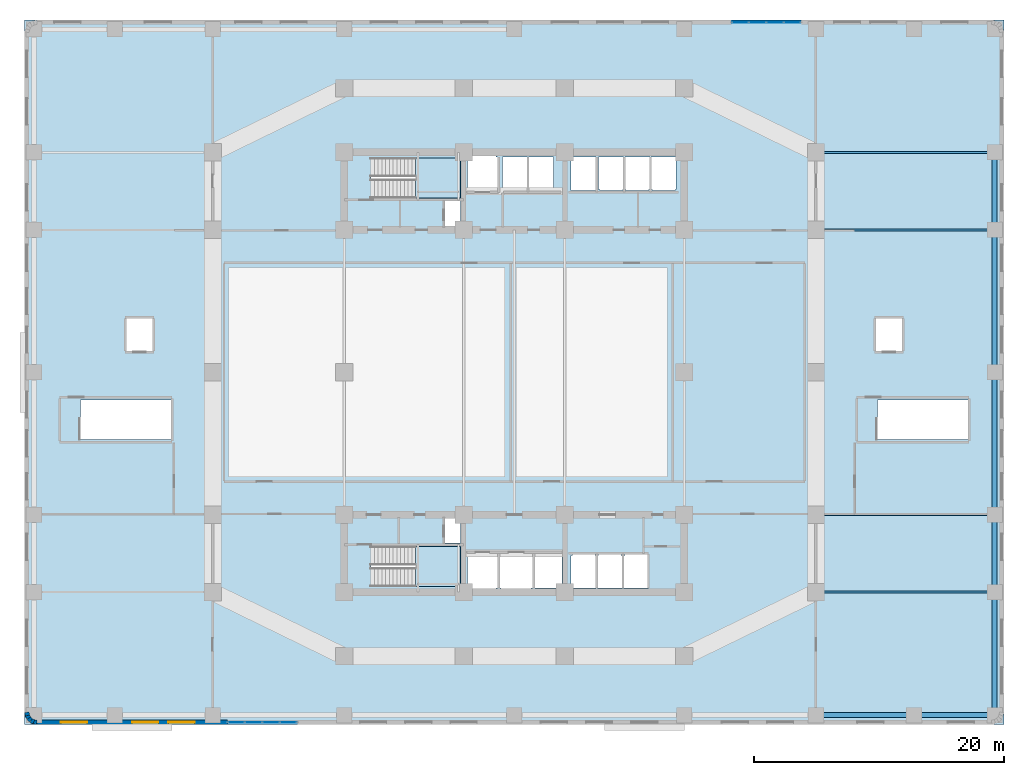
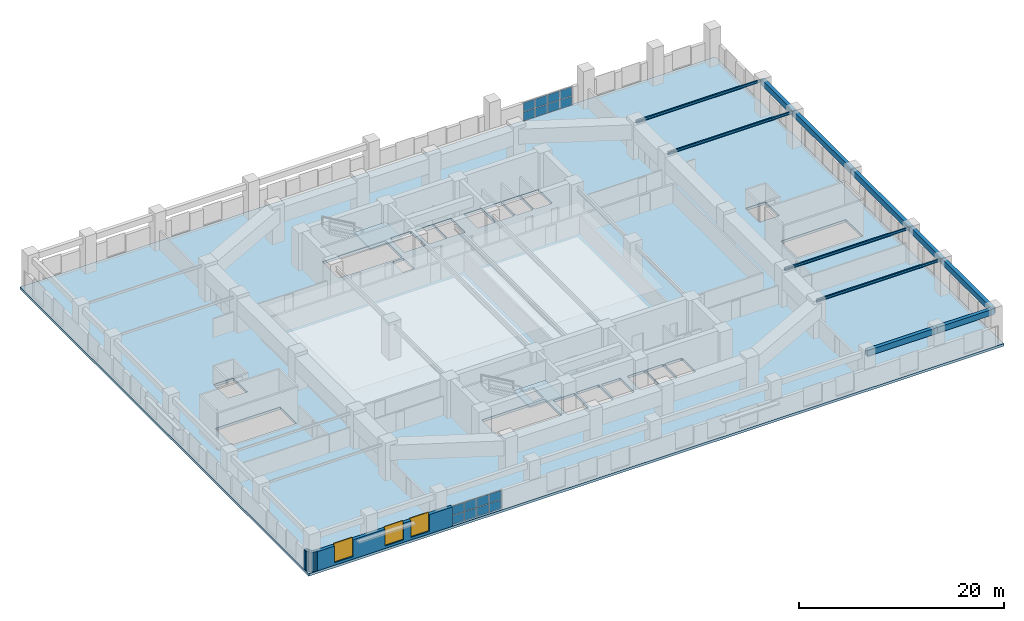
# One storey, part 5 of 13: 16 plates, 11 beams, 6 walls, 3 slabs, 3 windows, 3 openings, 4 elements without a shape of their own.
"""IFC4 building model written with IfcOpenShell, lengths in metres."""

from ifc_helpers import new_model, si_unit, direction, frame, frame_2d, origin, origin_2d, place, context, subcontext, project, spatial, polyline, rectangle, i_section, outline, extrude, material, layer, layer_set, material_profile, profile_set, type_object, element, fill, aggregate, save


model = new_model("IFC4")

# Units and contexts
model_context = context("Model", 3, precision=1e-05, world=origin(), true_north=direction((0.0, 1.0)))
body_context = subcontext(model_context, "Body", "Model", "MODEL_VIEW")
ifc_project = project(units=[si_unit("LENGTHUNIT", "METRE"), si_unit("AREAUNIT", "SQUARE_METRE"), si_unit("VOLUMEUNIT", "CUBIC_METRE"), si_unit("PLANEANGLEUNIT", "RADIAN"), si_unit("MASSUNIT", "GRAM", prefix="KILO")], contexts=[model_context])

# Site, building, storey
site_placement = place(None, origin())
site = spatial("IfcSite", under=ifc_project, at=site_placement, CompositionType="ELEMENT")
building_placement = place(site_placement, origin())
building = spatial("IfcBuilding", under=site, at=building_placement, Name="Svetorya Sky Lyceum", CompositionType="ELEMENT")
storey_placement = place(building_placement, frame((0.0, 0.0, 20.10009765625)))
storey = spatial("IfcBuildingStorey", under=building, at=storey_placement, Name="L04", CompositionType="ELEMENT", Elevation=20.10009765625)

# Beams
ifc_material_1 = material(Name="Concrete C50/60", Category="concrete")
ifc_material_profile_1 = material_profile(ifc_material_1, rectangle(XDim=0.39990234375, YDim=0.699951171875, at=origin_2d()), Name="RC SPANDREL 400x700")
ifc_profile_set_1 = profile_set([ifc_material_profile_1], Name="Concrete C50/60")
beam_type_1 = type_object("IfcBeamType", Name="BM-SPN-700", PredefinedType="SPANDREL", material=ifc_profile_set_1)
beam_1_placement = place(storey_placement, frame((63.35009765625, 0.75, 3.75), z_axis=(1.0, 0.0, 0.0), x_axis=(0.0, 1.0, 0.0)))
element("IfcBeam", 1, at=beam_1_placement, inside=storey, type_object=beam_type_1, Name="L04 Podium South Spandrel 7", PredefinedType="SPANDREL", context=body_context, shape_type="SweptSolid", body=[
    extrude(rectangle(XDim=0.39990234375, YDim=0.699951171875, at=origin_2d()), origin(), (0.0, 0.0, 1.0), 7.849853515625),
])
beam_2_placement = place(storey_placement, frame((71.199951171875, 0.75, 3.75), z_axis=(1.0, 0.0, 0.0), x_axis=(0.0, 1.0, 0.0)))
element("IfcBeam", 2, at=beam_2_placement, inside=storey, type_object=beam_type_1, Name="L04 Podium South Spandrel 8", PredefinedType="SPANDREL", context=body_context, shape_type="SweptSolid", body=[
    extrude(rectangle(XDim=0.39990234375, YDim=0.699951171875, at=origin_2d()), origin(), (0.0, 0.0, 1.0), 6.449951171875),
])
beam_3_placement = place(storey_placement, frame((77.64990234375, 0.75, 3.75), z_axis=(0.0, 1.0, 0.0), x_axis=(-1.0, 0.0, 0.0)))
element("IfcBeam", 3, at=beam_3_placement, inside=storey, type_object=beam_type_1, Name="L04 Podium East Spandrel 1", PredefinedType="SPANDREL", context=body_context, shape_type="SweptSolid", body=[
    extrude(rectangle(XDim=0.39990234375, YDim=0.699951171875, at=origin_2d()), origin(), (0.0, 0.0, 1.0), 9.85009765625),
])
beam_4_placement = place(storey_placement, frame((77.64990234375, 10.60009765625, 3.75), z_axis=(0.0, 1.0, 0.0), x_axis=(-1.0, 0.0, 0.0)))
element("IfcBeam", 4, at=beam_4_placement, inside=storey, type_object=beam_type_1, Name="L04 Podium East Spandrel 2", PredefinedType="SPANDREL", context=body_context, shape_type="SweptSolid", body=[
    extrude(rectangle(XDim=0.39990234375, YDim=0.699951171875, at=origin_2d()), origin(), (0.0, 0.0, 1.0), 6.199951171875),
])
beam_5_placement = place(storey_placement, frame((77.64990234375, 16.800048828125, 3.75), z_axis=(0.0, 1.0, 0.0), x_axis=(-1.0, 0.0, 0.0)))
element("IfcBeam", 5, at=beam_5_placement, inside=storey, type_object=beam_type_1, Name="L04 Podium East Spandrel 3", PredefinedType="SPANDREL", context=body_context, shape_type="SweptSolid", body=[
    extrude(rectangle(XDim=0.39990234375, YDim=0.699951171875, at=origin_2d()), origin(), (0.0, 0.0, 1.0), 11.39990234375),
])
beam_6_placement = place(storey_placement, frame((77.64990234375, 28.199951171875, 3.75), z_axis=(0.0, 1.0, 0.0), x_axis=(-1.0, 0.0, 0.0)))
element("IfcBeam", 6, at=beam_6_placement, inside=storey, type_object=beam_type_1, Name="L04 Podium East Spandrel 4", PredefinedType="SPANDREL", context=body_context, shape_type="SweptSolid", body=[
    extrude(rectangle(XDim=0.39990234375, YDim=0.699951171875, at=origin_2d()), origin(), (0.0, 0.0, 1.0), 11.400146484375),
])
beam_7_placement = place(storey_placement, frame((77.64990234375, 39.60009765625, 3.75), z_axis=(0.0, 1.0, 0.0), x_axis=(-1.0, 0.0, 0.0)))
element("IfcBeam", 7, at=beam_7_placement, inside=storey, type_object=beam_type_1, Name="L04 Podium East Spandrel 5", PredefinedType="SPANDREL", context=body_context, shape_type="SweptSolid", body=[
    extrude(rectangle(XDim=0.39990234375, YDim=0.699951171875, at=origin_2d()), origin(), (0.0, 0.0, 1.0), 6.199951171875),
])
ifc_material_2 = material(Name="Steel S355", Category="steel")
ifc_material_profile_2 = material_profile(ifc_material_2, i_section(OverallWidth=0.14990234375, OverallDepth=0.299072265625, WebThickness=0.006591796875, FlangeThickness=0.010498046875, at=origin_2d()), Name="GOST 30B2")
ifc_profile_set_2 = profile_set([ifc_material_profile_2], Name="Steel S355")
beam_type_2 = type_object("IfcBeamType", Name="BM-STL-30B2", PredefinedType="JOIST", material=ifc_profile_set_2)
for number, where, z_axis, x_axis, name in (
    (8, (63.35009765625, 10.60009765625, 3.950439453125), (1.0, 0.0, 0.0), (0.0, 1.0, 0.0), "L04 Podium Wing Joist E1"),
    (9, (63.35009765625, 16.800048828125, 3.950439453125), (1.0, 0.0, 0.0), (0.0, 1.0, 0.0), "L04 Podium Wing Joist E2"),
    (10, (63.35009765625, 39.60009765625, 3.950439453125), (1.0, 0.0, 0.0), (0.0, 1.0, 0.0), "L04 Podium Wing Joist E3"),
    (11, (63.35009765625, 45.800048828125, 3.950439453125), (1.0, 0.0, 0.0), (0.0, 1.0, 0.0), "L04 Podium Wing Joist E4"),
):
    element("IfcBeam", number, at=place(storey_placement, frame(where, z_axis=z_axis, x_axis=x_axis)), inside=storey, type_object=beam_type_2, Name=name, PredefinedType="JOIST", context=body_context, shape_type="SweptSolid", body=[
        extrude(i_section(OverallWidth=0.14990234375, OverallDepth=0.299072265625, WebThickness=0.006591796875, FlangeThickness=0.010498046875, at=origin_2d()), origin(), (0.0, 0.0, 1.0), 14.2998046875),
    ])

# Curtain wall, plates
ifc_material_3 = material(Name="Thermally broken anodized aluminium and triple low-E glass", Category="aluminium")
curtain_wall_type = type_object("IfcCurtainWallType", Name="CW2-SCH-RIB", PredefinedType="NOTDEFINED", material=ifc_material_3)
curtain_wall_1_placement = place(storey_placement, origin())
curtain_wall_1 = element("IfcCurtainWall", 12, at=curtain_wall_1_placement, inside=storey, type_object=curtain_wall_type, Name="L04 Lyceum Classroom Ribbon Curtain Wall 6", PredefinedType="NOTDEFINED")
ifc_material_4 = material(Name="Triple insulated low-E solar-control glass", Category="glass")
ifc_layer_1 = layer(ifc_material_4, 0.048095703125)
ifc_layer_set_1 = layer_set([ifc_layer_1], Name="Triple insulated low-E solar-control glass")
plate_type = type_object("IfcPlateType", Name="CWP-GLZ-48", PredefinedType="CURTAIN_PANEL", material=ifc_layer_set_1)
plate_1_placement = place(storey_placement, frame((16.9462890625, 0.179931640625, 0.0634765625), z_axis=(0.0, 0.0, 1.0), x_axis=(1.0, 0.0, 0.0)))
plate_1 = element("IfcPlate", 13, at=plate_1_placement, type_object=plate_type, Name="CW-2 panel 1.1", PredefinedType="CURTAIN_PANEL", context=body_context, shape_type="SweptSolid", body=[
    extrude(rectangle(XDim=1.305419921875, YDim=0.048095703125, at=origin_2d()), origin(), (0.0, 0.0, 1.0), 1.055419921875),
])
plate_2_placement = place(storey_placement, frame((16.9462890625, 0.179931640625, 1.18115234375), z_axis=(0.0, 0.0, 1.0), x_axis=(1.0, 0.0, 0.0)))
plate_2 = element("IfcPlate", 14, at=plate_2_placement, type_object=plate_type, Name="CW-2 panel 1.2", PredefinedType="CURTAIN_PANEL", context=body_context, shape_type="SweptSolid", body=[
    extrude(rectangle(XDim=1.305419921875, YDim=0.048095703125, at=origin_2d()), origin(), (0.0, 0.0, 1.0), 1.055419921875),
])
plate_3_placement = place(storey_placement, frame((18.330078125, 0.179931640625, 0.0634765625), z_axis=(0.0, 0.0, 1.0), x_axis=(1.0, 0.0, 0.0)))
plate_3 = element("IfcPlate", 15, at=plate_3_placement, type_object=plate_type, Name="CW-2 panel 2.1", PredefinedType="CURTAIN_PANEL", context=body_context, shape_type="SweptSolid", body=[
    extrude(rectangle(XDim=1.337890625, YDim=0.048095703125, at=origin_2d()), origin(), (0.0, 0.0, 1.0), 1.055419921875),
])
plate_4_placement = place(storey_placement, frame((18.330078125, 0.179931640625, 1.18115234375), z_axis=(0.0, 0.0, 1.0), x_axis=(1.0, 0.0, 0.0)))
plate_4 = element("IfcPlate", 16, at=plate_4_placement, type_object=plate_type, Name="CW-2 panel 2.2", PredefinedType="CURTAIN_PANEL", context=body_context, shape_type="SweptSolid", body=[
    extrude(rectangle(XDim=1.337890625, YDim=0.048095703125, at=origin_2d()), origin(), (0.0, 0.0, 1.0), 1.055419921875),
])
plate_5_placement = place(storey_placement, frame((19.72998046875, 0.179931640625, 0.0634765625), z_axis=(0.0, 0.0, 1.0), x_axis=(1.0, 0.0, 0.0)))
plate_5 = element("IfcPlate", 17, at=plate_5_placement, type_object=plate_type, Name="CW-2 panel 3.1", PredefinedType="CURTAIN_PANEL", context=body_context, shape_type="SweptSolid", body=[
    extrude(rectangle(XDim=1.337890625, YDim=0.048095703125, at=origin_2d()), origin(), (0.0, 0.0, 1.0), 1.055419921875),
])
plate_6_placement = place(storey_placement, frame((19.72998046875, 0.179931640625, 1.18115234375), z_axis=(0.0, 0.0, 1.0), x_axis=(1.0, 0.0, 0.0)))
plate_6 = element("IfcPlate", 18, at=plate_6_placement, type_object=plate_type, Name="CW-2 panel 3.2", PredefinedType="CURTAIN_PANEL", context=body_context, shape_type="SweptSolid", body=[
    extrude(rectangle(XDim=1.337890625, YDim=0.048095703125, at=origin_2d()), origin(), (0.0, 0.0, 1.0), 1.055419921875),
])
plate_7_placement = place(storey_placement, frame((21.11376953125, 0.179931640625, 0.0634765625), z_axis=(0.0, 0.0, 1.0), x_axis=(1.0, 0.0, 0.0)))
plate_7 = element("IfcPlate", 19, at=plate_7_placement, type_object=plate_type, Name="CW-2 panel 4.1", PredefinedType="CURTAIN_PANEL", context=body_context, shape_type="SweptSolid", body=[
    extrude(rectangle(XDim=1.305419921875, YDim=0.048095703125, at=origin_2d()), origin(), (0.0, 0.0, 1.0), 1.055419921875),
])
plate_8_placement = place(storey_placement, frame((21.11376953125, 0.179931640625, 1.18115234375), z_axis=(0.0, 0.0, 1.0), x_axis=(1.0, 0.0, 0.0)))
plate_8 = element("IfcPlate", 20, at=plate_8_placement, type_object=plate_type, Name="CW-2 panel 4.2", PredefinedType="CURTAIN_PANEL", context=body_context, shape_type="SweptSolid", body=[
    extrude(rectangle(XDim=1.305419921875, YDim=0.048095703125, at=origin_2d()), origin(), (0.0, 0.0, 1.0), 1.055419921875),
])
aggregate(curtain_wall_1, [plate_1, plate_2, plate_3, plate_4, plate_5, plate_6, plate_7, plate_8])

curtain_wall_2_placement = place(storey_placement, origin())
curtain_wall_2 = element("IfcCurtainWall", 21, at=curtain_wall_2_placement, inside=storey, type_object=curtain_wall_type, Name="L04 Lyceum Classroom Ribbon Curtain Wall 18", PredefinedType="NOTDEFINED")
plate_9_placement = place(storey_placement, frame((61.453857421875, 56.219970703125, 0.0634765625), z_axis=(0.0, 0.0, 1.0), x_axis=(-1.0, 0.0, 0.0)))
plate_9 = element("IfcPlate", 22, at=plate_9_placement, type_object=plate_type, Name="CW-2 panel 1.1", PredefinedType="CURTAIN_PANEL", context=body_context, shape_type="SweptSolid", body=[
    extrude(rectangle(XDim=1.305419921875, YDim=0.048095703125, at=origin_2d()), origin(), (0.0, 0.0, 1.0), 1.055419921875),
])
plate_10_placement = place(storey_placement, frame((61.453857421875, 56.219970703125, 1.18115234375), z_axis=(0.0, 0.0, 1.0), x_axis=(-1.0, 0.0, 0.0)))
plate_10 = element("IfcPlate", 23, at=plate_10_placement, type_object=plate_type, Name="CW-2 panel 1.2", PredefinedType="CURTAIN_PANEL", context=body_context, shape_type="SweptSolid", body=[
    extrude(rectangle(XDim=1.305419921875, YDim=0.048095703125, at=origin_2d()), origin(), (0.0, 0.0, 1.0), 1.055419921875),
])
plate_11_placement = place(storey_placement, frame((60.070068359375, 56.219970703125, 0.0634765625), z_axis=(0.0, 0.0, 1.0), x_axis=(-1.0, 0.0, 0.0)))
plate_11 = element("IfcPlate", 24, at=plate_11_placement, type_object=plate_type, Name="CW-2 panel 2.1", PredefinedType="CURTAIN_PANEL", context=body_context, shape_type="SweptSolid", body=[
    extrude(rectangle(XDim=1.337890625, YDim=0.048095703125, at=origin_2d()), origin(), (0.0, 0.0, 1.0), 1.055419921875),
])
plate_12_placement = place(storey_placement, frame((60.070068359375, 56.219970703125, 1.18115234375), z_axis=(0.0, 0.0, 1.0), x_axis=(-1.0, 0.0, 0.0)))
plate_12 = element("IfcPlate", 25, at=plate_12_placement, type_object=plate_type, Name="CW-2 panel 2.2", PredefinedType="CURTAIN_PANEL", context=body_context, shape_type="SweptSolid", body=[
    extrude(rectangle(XDim=1.337890625, YDim=0.048095703125, at=origin_2d()), origin(), (0.0, 0.0, 1.0), 1.055419921875),
])
plate_13_placement = place(storey_placement, frame((58.669921875, 56.219970703125, 0.0634765625), z_axis=(0.0, 0.0, 1.0), x_axis=(-1.0, 0.0, 0.0)))
plate_13 = element("IfcPlate", 26, at=plate_13_placement, type_object=plate_type, Name="CW-2 panel 3.1", PredefinedType="CURTAIN_PANEL", context=body_context, shape_type="SweptSolid", body=[
    extrude(rectangle(XDim=1.337890625, YDim=0.048095703125, at=origin_2d()), origin(), (0.0, 0.0, 1.0), 1.055419921875),
])
plate_14_placement = place(storey_placement, frame((58.669921875, 56.219970703125, 1.18115234375), z_axis=(0.0, 0.0, 1.0), x_axis=(-1.0, 0.0, 0.0)))
plate_14 = element("IfcPlate", 27, at=plate_14_placement, type_object=plate_type, Name="CW-2 panel 3.2", PredefinedType="CURTAIN_PANEL", context=body_context, shape_type="SweptSolid", body=[
    extrude(rectangle(XDim=1.337890625, YDim=0.048095703125, at=origin_2d()), origin(), (0.0, 0.0, 1.0), 1.055419921875),
])
plate_15_placement = place(storey_placement, frame((57.2861328125, 56.219970703125, 0.0634765625), z_axis=(0.0, 0.0, 1.0), x_axis=(-1.0, 0.0, 0.0)))
plate_15 = element("IfcPlate", 28, at=plate_15_placement, type_object=plate_type, Name="CW-2 panel 4.1", PredefinedType="CURTAIN_PANEL", context=body_context, shape_type="SweptSolid", body=[
    extrude(rectangle(XDim=1.305419921875, YDim=0.048095703125, at=origin_2d()), origin(), (0.0, 0.0, 1.0), 1.055419921875),
])
plate_16_placement = place(storey_placement, frame((57.2861328125, 56.219970703125, 1.18115234375), z_axis=(0.0, 0.0, 1.0), x_axis=(-1.0, 0.0, 0.0)))
plate_16 = element("IfcPlate", 29, at=plate_16_placement, type_object=plate_type, Name="CW-2 panel 4.2", PredefinedType="CURTAIN_PANEL", context=body_context, shape_type="SweptSolid", body=[
    extrude(rectangle(XDim=1.305419921875, YDim=0.048095703125, at=origin_2d()), origin(), (0.0, 0.0, 1.0), 1.055419921875),
])
aggregate(curtain_wall_2, [plate_9, plate_10, plate_11, plate_12, plate_13, plate_14, plate_15, plate_16])

# Slab
ifc_material_5 = material(Name="Concrete C40/50", Category="concrete")
ifc_layer_2 = layer(ifc_material_5, 0.300048828125)
ifc_layer_set_2 = layer_set([ifc_layer_2], Name="Concrete C40/50")
slab_type_1 = type_object("IfcSlabType", Name="SL-POD-300", PredefinedType="FLOOR", material=ifc_layer_set_2)
slab_1_placement = place(storey_placement, frame((0.0, 0.0, -0.300048828125)))
element("IfcSlab", 30, at=slab_1_placement, inside=storey, type_object=slab_type_1, Name="L04 Structural Floor Slab", PredefinedType="FLOOR", context=body_context, shape_type="SweptSolid", body=[
    extrude(outline(polyline([(0.0, 0.0), (78.39990234375, 0.0), (78.39990234375, 56.39990234375), (0.0, 56.39990234375), (0.0, 0.0)]), holes=[polyline([(40.64990234375, 10.949951171875), (40.550048828125, 10.949951171875), (40.550048828125, 10.800048828125), (38.14990234375, 10.800048828125), (38.14990234375, 10.949951171875), (38.050048828125, 10.949951171875), (38.050048828125, 13.64990234375), (38.14990234375, 13.64990234375), (38.14990234375, 13.699951171875), (40.550048828125, 13.699951171875), (40.550048828125, 13.64990234375), (40.64990234375, 13.64990234375), (40.64990234375, 10.949951171875)]), polyline([(35.550048828125, 10.949951171875), (35.449951171875, 10.949951171875), (35.449951171875, 13.64990234375), (35.550048828125, 13.64990234375), (37.75, 13.64990234375), (37.85009765625, 13.64990234375), (37.85009765625, 10.949951171875), (37.75, 10.949951171875), (37.75, 10.85009765625), (35.550048828125, 10.85009765625), (35.550048828125, 10.949951171875)]), polyline([(40.85009765625, 13.64990234375), (43.0, 13.64990234375), (43.0, 10.949951171875), (40.85009765625, 10.949951171875), (40.85009765625, 13.64990234375)]), polyline([(27.719970703125, 14.25), (34.89990234375, 14.25), (34.89990234375, 11.050048828125), (27.719970703125, 11.050048828125), (27.719970703125, 14.25)]), polyline([(33.64990234375, 16.580078125), (34.89990234375, 16.580078125), (34.89990234375, 14.52001953125), (33.64990234375, 14.52001953125), (33.64990234375, 16.580078125)]), polyline([(4.469970703125, 26.0), (11.800048828125, 26.0), (11.800048828125, 22.800048828125), (4.469970703125, 22.800048828125), (4.469970703125, 26.0)]), polyline([(8.10009765625, 32.550048828125), (10.300048828125, 32.550048828125), (10.300048828125, 29.85009765625), (8.10009765625, 29.85009765625), (8.10009765625, 32.550048828125)]), polyline([(33.64990234375, 41.89990234375), (34.89990234375, 41.89990234375), (34.89990234375, 39.820068359375), (33.64990234375, 39.820068359375), (33.64990234375, 41.89990234375)]), polyline([(27.719970703125, 45.35009765625), (34.89990234375, 45.35009765625), (34.89990234375, 42.14990234375), (27.719970703125, 42.14990234375), (27.719970703125, 45.35009765625)]), polyline([(37.75, 45.449951171875), (37.85009765625, 45.449951171875), (37.85009765625, 42.75), (37.75, 42.75), (35.550048828125, 42.75), (35.449951171875, 42.75), (35.449951171875, 45.449951171875), (35.550048828125, 45.449951171875), (35.550048828125, 45.550048828125), (37.75, 45.550048828125), (37.75, 45.449951171875)]), polyline([(40.199951171875, 42.85009765625), (40.199951171875, 42.75), (38.39990234375, 42.75), (38.39990234375, 42.85009765625), (38.25, 42.85009765625), (38.25, 45.449951171875), (38.39990234375, 45.449951171875), (40.199951171875, 45.449951171875), (40.25, 45.449951171875), (40.25, 42.85009765625), (40.199951171875, 42.85009765625)]), polyline([(40.39990234375, 42.85009765625), (40.35009765625, 42.85009765625), (40.35009765625, 45.449951171875), (40.39990234375, 45.449951171875), (42.300048828125, 45.449951171875), (42.35009765625, 45.449951171875), (42.35009765625, 42.85009765625), (42.300048828125, 42.85009765625), (42.300048828125, 42.75), (40.39990234375, 42.75), (40.39990234375, 42.85009765625)]), polyline([(43.85009765625, 10.949951171875), (43.75, 10.949951171875), (43.75, 13.550048828125), (43.85009765625, 13.550048828125), (43.85009765625, 13.60009765625), (45.64990234375, 13.60009765625), (45.64990234375, 13.550048828125), (45.75, 13.550048828125), (45.75, 10.949951171875), (45.64990234375, 10.949951171875), (43.85009765625, 10.949951171875)]), polyline([(48.050048828125, 10.949951171875), (47.949951171875, 10.949951171875), (47.949951171875, 13.550048828125), (48.050048828125, 13.550048828125), (48.050048828125, 13.60009765625), (49.85009765625, 13.60009765625), (49.85009765625, 13.550048828125), (49.949951171875, 13.550048828125), (49.949951171875, 10.949951171875), (49.85009765625, 10.949951171875), (48.050048828125, 10.949951171875)]), polyline([(45.949951171875, 10.949951171875), (45.85009765625, 10.949951171875), (45.85009765625, 13.550048828125), (45.949951171875, 13.550048828125), (45.949951171875, 13.60009765625), (47.75, 13.60009765625), (47.75, 13.550048828125), (47.85009765625, 13.550048828125), (47.85009765625, 10.949951171875), (47.75, 10.949951171875), (45.949951171875, 10.949951171875)]), polyline([(75.60009765625, 26.0), (75.60009765625, 22.800048828125), (68.27001953125, 22.800048828125), (68.27001953125, 26.0), (75.60009765625, 26.0)]), polyline([(70.300048828125, 32.550048828125), (70.300048828125, 29.85009765625), (68.10009765625, 29.85009765625), (68.10009765625, 32.550048828125), (70.300048828125, 32.550048828125)]), polyline([(46.050048828125, 42.85009765625), (45.949951171875, 42.85009765625), (45.949951171875, 45.449951171875), (46.050048828125, 45.449951171875), (47.85009765625, 45.449951171875), (47.949951171875, 45.449951171875), (47.949951171875, 42.85009765625), (47.85009765625, 42.85009765625), (47.85009765625, 42.75), (46.050048828125, 42.75), (46.050048828125, 42.85009765625)]), polyline([(43.75, 42.85009765625), (43.75, 45.449951171875), (45.699951171875, 45.449951171875), (45.75, 45.449951171875), (45.75, 42.85009765625), (45.699951171875, 42.85009765625), (45.699951171875, 42.75), (43.75, 42.75), (43.75, 42.85009765625)]), polyline([(48.14990234375, 42.85009765625), (48.050048828125, 42.85009765625), (48.050048828125, 45.449951171875), (48.14990234375, 45.449951171875), (49.949951171875, 45.449951171875), (50.050048828125, 45.449951171875), (50.050048828125, 42.85009765625), (49.949951171875, 42.85009765625), (49.949951171875, 42.75), (48.14990234375, 42.75), (48.14990234375, 42.85009765625)]), polyline([(52.050048828125, 42.85009765625), (52.050048828125, 42.75), (50.25, 42.75), (50.25, 42.85009765625), (50.14990234375, 42.85009765625), (50.14990234375, 45.449951171875), (50.25, 45.449951171875), (52.050048828125, 45.449951171875), (52.14990234375, 45.449951171875), (52.14990234375, 42.85009765625), (52.050048828125, 42.85009765625)])]), origin(), (0.0, 0.0, 1.0), 0.300048828125),
])

# Stair, slab
stair_type_1 = type_object("IfcStairType", Name="STR-ST-S", PredefinedType="HALF_TURN_STAIR", material=ifc_material_5)
stair_1_placement = place(storey_placement, origin())
stair_1 = element("IfcStair", 31, at=stair_1_placement, inside=storey, type_object=stair_type_1, Name="L04 South Core Smoke-Free Exit Stair N2", PredefinedType="HALF_TURN_STAIR")
ifc_layer_3 = layer(ifc_material_5, 0.199951171875)
ifc_layer_set_3 = layer_set([ifc_layer_3], Name="Concrete C40/50")
slab_type_2 = type_object("IfcSlabType", Name="SL-STR-LAND-200", PredefinedType="LANDING", material=ifc_layer_set_3)
slab_2_placement = place(storey_placement, frame((0.0, 0.0, 2.0498046875)))
slab_2 = element("IfcSlab", 32, at=slab_2_placement, type_object=slab_type_2, Name="ST-S landing 1", PredefinedType="LANDING", context=body_context, shape_type="SweptSolid", body=[
    extrude(outline(polyline([(31.300048828125, 11.050048828125), (34.89990234375, 11.050048828125), (34.89990234375, 14.25), (31.300048828125, 14.25), (31.300048828125, 11.050048828125)])), origin(), (0.0, 0.0, 1.0), 0.2001953125),
])
aggregate(stair_1, [slab_2])

stair_type_2 = type_object("IfcStairType", Name="STR-ST-N", PredefinedType="HALF_TURN_STAIR", material=ifc_material_5)
stair_2_placement = place(storey_placement, origin())
stair_2 = element("IfcStair", 33, at=stair_2_placement, inside=storey, type_object=stair_type_2, Name="L04 North Core Smoke-Free Exit Stair N3", PredefinedType="HALF_TURN_STAIR")
slab_3_placement = place(storey_placement, frame((0.0, 0.0, 2.0498046875)))
slab_3 = element("IfcSlab", 34, at=slab_3_placement, type_object=slab_type_2, Name="ST-N landing 1", PredefinedType="LANDING", context=body_context, shape_type="SweptSolid", body=[
    extrude(outline(polyline([(31.300048828125, 42.14990234375), (34.89990234375, 42.14990234375), (34.89990234375, 45.35009765625), (31.300048828125, 45.35009765625), (31.300048828125, 42.14990234375)])), origin(), (0.0, 0.0, 1.0), 0.2001953125),
])
aggregate(stair_2, [slab_3])

# Walls
ifc_material_6 = material(Name="Putilovo limestone rainscreen on autoclaved cellular masonry", Category="masonry")
ifc_layer_4 = layer(ifc_material_6, 0.360107421875)
ifc_layer_set_4 = layer_set([ifc_layer_4], Name="Putilovo limestone rainscreen on autoclaved cellular masonry")
wall_type = type_object("IfcWallType", Name="WL-EXT-360", PredefinedType="SOLIDWALL", material=ifc_layer_set_4)
for number, where, z_axis, x_axis, name in (
    (35, (0.179931640625, 0.97998046875, 0.0), (0.0, 0.0, 1.0), (0.157115048735, -0.987580306335, 0.0), "L04 Limestone Exterior Wall 1M"),
    (36, (0.21923828125, 0.73291015625, 0.0), (0.0, 0.0, 1.0), (0.453443653591, -0.891284944907, 0.0), "L04 Limestone Exterior Wall 2M"),
    (37, (0.332763671875, 0.509765625, 0.0), (0.0, 0.0, 1.0), (0.707106781187, -0.707106781187, 0.0), "L04 Limestone Exterior Wall 3M"),
    (38, (0.509765625, 0.332763671875, 0.0), (0.0, 0.0, 1.0), (0.891284944907, -0.453443653591, 0.0), "L04 Limestone Exterior Wall 4M"),
    (39, (0.73291015625, 0.21923828125, 0.0), (0.0, 0.0, 1.0), (0.987580306335, -0.157115048735, 0.0), "L04 Limestone Exterior Wall 5M"),
):
    element("IfcWall", number, at=place(storey_placement, frame(where, z_axis=z_axis, x_axis=x_axis)), inside=storey, type_object=wall_type, Name=name, PredefinedType="SOLIDWALL", context=body_context, shape_type="SweptSolid", body=[
        extrude(rectangle(XDim=0.250244140625, YDim=0.360107421875, at=frame_2d((0.125, 0.0))), origin(), (0.0, 0.0, 1.0), 2.2998046875),
    ])

# Wall, openings, windows
wall_placement = place(storey_placement, frame((0.97998046875, 0.179931640625, 0.0), z_axis=(0.0, 0.0, 1.0), x_axis=(1.0, 0.0, 0.0)))
wall = element("IfcWall", 40, at=wall_placement, inside=storey, type_object=wall_type, Name="L04 Limestone Exterior Wall 6A", PredefinedType="SOLIDWALL", context=body_context, shape_type="SweptSolid", body=[
    extrude(rectangle(XDim=15.25, YDim=0.360107421875, at=frame_2d((7.625, 0.0))), origin(), (0.0, 0.0, 1.0), 2.2998046875),
])
opening_1_placement = place(wall_placement, frame((1.925048828125, 0.0, 0.300048828125)))
opening_1 = element("IfcOpeningElement", 41, at=opening_1_placement, cuts=wall, Name="Opening W-S3", PredefinedType="OPENING", context=body_context, shape_type="SweptSolid", body=[
    extrude(rectangle(XDim=2.10009765625, YDim=2.199951171875, at=frame_2d((1.050048828125, 1.10009765625))), frame((0.0, 0.18994140625, 0.0), z_axis=(0.0, -1.0, 0.0), x_axis=(1.0, 0.0, 0.0)), (0.0, 0.0, 1.0), 0.380126953125),
])
opening_2_placement = place(wall_placement, frame((7.625, 0.0, 0.300048828125)))
opening_2 = element("IfcOpeningElement", 42, at=opening_2_placement, cuts=wall, Name="Opening W-S3", PredefinedType="OPENING", context=body_context, shape_type="SweptSolid", body=[
    extrude(rectangle(XDim=2.10009765625, YDim=2.199951171875, at=frame_2d((1.050048828125, 1.10009765625))), frame((0.0, 0.18994140625, 0.0), z_axis=(0.0, -1.0, 0.0), x_axis=(1.0, 0.0, 0.0)), (0.0, 0.0, 1.0), 0.380126953125),
])
opening_3_placement = place(wall_placement, frame((10.52490234375, 0.0, 0.300048828125)))
opening_3 = element("IfcOpeningElement", 43, at=opening_3_placement, cuts=wall, Name="Opening W-S3", PredefinedType="OPENING", context=body_context, shape_type="SweptSolid", body=[
    extrude(rectangle(XDim=2.10009765625, YDim=2.199951171875, at=frame_2d((1.050048828125, 1.10009765625))), frame((0.0, 0.18994140625, 0.0), z_axis=(0.0, -1.0, 0.0), x_axis=(1.0, 0.0, 0.0)), (0.0, 0.0, 1.0), 0.380126953125),
])
ifc_material_7 = material(Name="Thermally broken aluminium frame with triple low-E glazing", Category="aluminium")
window_type = type_object("IfcWindowType", Name="WN-SCH-210", PartitioningType="TRIPLE_PANEL_VERTICAL", PredefinedType="WINDOW", material=ifc_material_7)
window_1_placement = place(opening_1_placement, origin())
window_1 = element("IfcWindow", 44, at=window_1_placement, inside=storey, type_object=window_type, Name="L04 Facade Window W-S3.6A.1", OverallHeight=2.199951171875, OverallWidth=2.10009765625, PartitioningType="SINGLE_PANEL", PredefinedType="WINDOW", context=body_context, shape_type="SweptSolid", body=[
    extrude(rectangle(XDim=2.10009765625, YDim=2.199951171875, at=frame_2d((1.050048828125, 1.10009765625))), frame((0.0, 0.030029296875, 0.0), z_axis=(0.0, -1.0, 0.0), x_axis=(1.0, 0.0, 0.0)), (0.0, 0.0, 1.0), 0.06005859375),
])
fill(opening_1, window_1)
window_2_placement = place(opening_2_placement, origin())
window_2 = element("IfcWindow", 45, at=window_2_placement, inside=storey, type_object=window_type, Name="L04 Facade Window W-S3.6A.2", OverallHeight=2.199951171875, OverallWidth=2.10009765625, PartitioningType="SINGLE_PANEL", PredefinedType="WINDOW", context=body_context, shape_type="SweptSolid", body=[
    extrude(rectangle(XDim=2.10009765625, YDim=2.199951171875, at=frame_2d((1.050048828125, 1.10009765625))), frame((0.0, 0.030029296875, 0.0), z_axis=(0.0, -1.0, 0.0), x_axis=(1.0, 0.0, 0.0)), (0.0, 0.0, 1.0), 0.06005859375),
])
fill(opening_2, window_2)
window_3_placement = place(opening_3_placement, origin())
window_3 = element("IfcWindow", 46, at=window_3_placement, inside=storey, type_object=window_type, Name="L04 Facade Window W-S3.6A.3", OverallHeight=2.199951171875, OverallWidth=2.10009765625, PartitioningType="SINGLE_PANEL", PredefinedType="WINDOW", context=body_context, shape_type="SweptSolid", body=[
    extrude(rectangle(XDim=2.10009765625, YDim=2.199951171875, at=frame_2d((1.050048828125, 1.10009765625))), frame((0.0, 0.030029296875, 0.0), z_axis=(0.0, -1.0, 0.0), x_axis=(1.0, 0.0, 0.0)), (0.0, 0.0, 1.0), 0.06005859375),
])
fill(opening_3, window_3)

save(model, "model.ifc")
